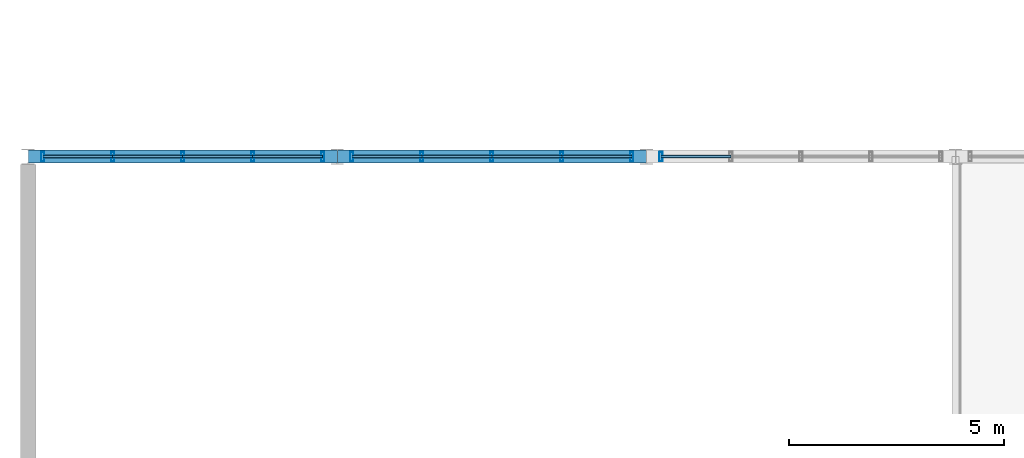
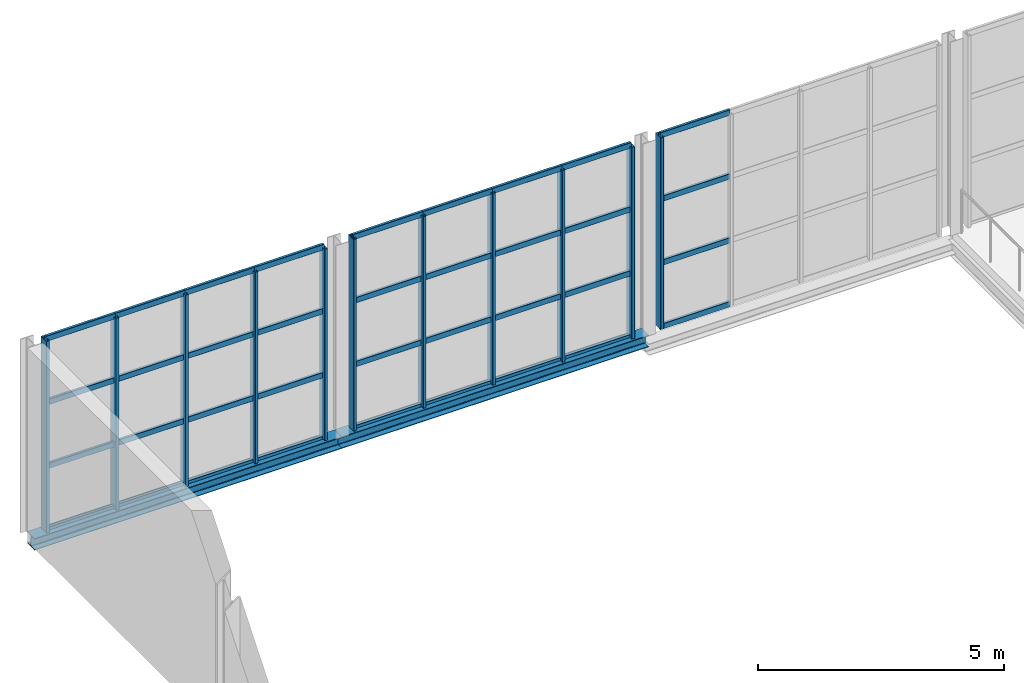
# One storey, part 64 of 143: 47 members, 2 beams, 3 elements without a shape of their own.
"""IFC4 building model written with IfcOpenShell, lengths in metres."""

from ifc_helpers import new_model, si_unit, derived_unit, direction, frame, origin, origin_2d, place, context, subcontext, project, spatial, hollow_rectangle, i_section, extrude, material, material_profile, profile_set, type_object, element, aggregate, save


model = new_model("IFC4")

# Units and contexts
model_context = context("Model", 3, precision=1e-05, world=origin(), true_north=direction((0.0, 1.0)))
body_context = subcontext(model_context, "Body", "Model", "MODEL_VIEW")
ifc_project = project(units=[si_unit("LENGTHUNIT", "METRE"), si_unit("AREAUNIT", "SQUARE_METRE"), si_unit("VOLUMEUNIT", "CUBIC_METRE"), si_unit("PLANEANGLEUNIT", "RADIAN"), si_unit("MASSUNIT", "GRAM", prefix="KILO"), derived_unit("THERMALTRANSMITTANCEUNIT", [(si_unit("POWERUNIT", "WATT"), 1), (si_unit("LENGTHUNIT", "METRE"), -2), (si_unit("THERMODYNAMICTEMPERATUREUNIT", "KELVIN"), -1)])], contexts=[model_context])

# Site, building, storey
site_placement = place(None, origin())
site = spatial("IfcSite", under=ifc_project, at=site_placement, CompositionType="ELEMENT")
building_placement = place(site_placement, origin())
building = spatial("IfcBuilding", under=site, at=building_placement, Name="Keldorne Ridge Multi-Sports Centre", CompositionType="ELEMENT")
storey_placement = place(building_placement, frame((0.0, 0.0, 4.800048828125)))
storey = spatial("IfcBuildingStorey", under=building, at=storey_placement, Name="L01", CompositionType="ELEMENT", Elevation=4.800048828125)

# Beams
ifc_material_1 = material(Name="Steel S355", Category="steel")
ifc_material_profile_1 = material_profile(ifc_material_1, i_section(OverallWidth=0.300048828125, OverallDepth=0.2900390625, WebThickness=0.008544921875, FlangeThickness=0.013916015625, FilletRadius=0.027099609375, at=origin_2d()), Name="HEA 300")
ifc_profile_set_1 = profile_set([ifc_material_profile_1], Name="Steel S355")
beam_type = type_object("IfcBeamType", Name="BM-SP-04", PredefinedType="SPANDREL", material=ifc_profile_set_1)
for number, where, z_axis, x_axis, name in (
    (1, (6.0, 114.0, -0.150146484375), (1.0, 0.0, 0.0), (0.0, 1.0, 0.0), "Climbing spandrel L01.114.1"),
    (2, (13.199951171875, 114.0, -0.150146484375), (1.0, 0.0, 0.0), (0.0, 1.0, 0.0), "Climbing spandrel L01.114.2"),
):
    element("IfcBeam", number, at=place(storey_placement, frame(where, z_axis=z_axis, x_axis=x_axis)), inside=storey, type_object=beam_type, Name=name, PredefinedType="SPANDREL", context=body_context, shape_type="SweptSolid", body=[
        extrude(i_section(OverallWidth=0.300048828125, OverallDepth=0.2900390625, WebThickness=0.008544921875, FlangeThickness=0.013916015625, FilletRadius=0.027099609375, at=origin_2d()), origin(), (0.0, 0.0, 1.0), 7.199951171875),
    ])

# Curtain wall, members
ifc_material_2 = material(Name="Anodized aluminium", Category="aluminium")
curtain_wall_type_1 = type_object("IfcCurtainWallType", Name="CW-CW-06", PredefinedType="NOTDEFINED", material=ifc_material_2)
curtain_wall_1_placement = place(storey_placement, origin())
curtain_wall_1 = element("IfcCurtainWall", 3, at=curtain_wall_1_placement, inside=storey, type_object=curtain_wall_type_1, Name="Climbing north glazing L01 038", PredefinedType="NOTDEFINED")
ifc_material_profile_2 = material_profile(ifc_material_2, hollow_rectangle(XDim=0.074951171875, YDim=0.219970703125, WallThickness=0.0048828125, InnerFilletRadius=0.0048828125, OuterFilletRadius=0.010009765625, at=origin_2d()), Name="ALU MULLION 220x75x5")
ifc_profile_set_2 = profile_set([ifc_material_profile_2], Name="Anodized aluminium")
member_type_1 = type_object("IfcMemberType", Name="MEM-ML-02", PredefinedType="MULLION", material=ifc_profile_set_2)
member_1_placement = place(storey_placement, frame((12.860107421875, 114.0, 0.0), z_axis=(0.0, 0.0, 1.0), x_axis=(1.0, 0.0, 0.0)))
member_1 = element("IfcMember", 4, at=member_1_placement, type_object=member_type_1, Name="CW-038 vertical mullion 1", PredefinedType="MULLION", context=body_context, shape_type="SweptSolid", body=[
    extrude(hollow_rectangle(XDim=0.074951171875, YDim=0.219970703125, WallThickness=0.0048828125, InnerFilletRadius=0.0048828125, OuterFilletRadius=0.010009765625, at=origin_2d()), origin(), (0.0, 0.0, 1.0), 4.75),
])
member_2_placement = place(storey_placement, frame((11.22998046875, 114.0, 0.0), z_axis=(0.0, 0.0, 1.0), x_axis=(1.0, 0.0, 0.0)))
member_2 = element("IfcMember", 5, at=member_2_placement, type_object=member_type_1, Name="CW-038 vertical mullion 2", PredefinedType="MULLION", context=body_context, shape_type="SweptSolid", body=[
    extrude(hollow_rectangle(XDim=0.074951171875, YDim=0.219970703125, WallThickness=0.0048828125, InnerFilletRadius=0.0048828125, OuterFilletRadius=0.010009765625, at=origin_2d()), origin(), (0.0, 0.0, 1.0), 4.75),
])
member_3_placement = place(storey_placement, frame((9.60009765625, 114.0, 0.0), z_axis=(0.0, 0.0, 1.0), x_axis=(1.0, 0.0, 0.0)))
member_3 = element("IfcMember", 6, at=member_3_placement, type_object=member_type_1, Name="CW-038 vertical mullion 3", PredefinedType="MULLION", context=body_context, shape_type="SweptSolid", body=[
    extrude(hollow_rectangle(XDim=0.074951171875, YDim=0.219970703125, WallThickness=0.0048828125, InnerFilletRadius=0.0048828125, OuterFilletRadius=0.010009765625, at=origin_2d()), origin(), (0.0, 0.0, 1.0), 4.75),
])
member_4_placement = place(storey_placement, frame((7.969970703125, 114.0, 0.0), z_axis=(0.0, 0.0, 1.0), x_axis=(1.0, 0.0, 0.0)))
member_4 = element("IfcMember", 7, at=member_4_placement, type_object=member_type_1, Name="CW-038 vertical mullion 4", PredefinedType="MULLION", context=body_context, shape_type="SweptSolid", body=[
    extrude(hollow_rectangle(XDim=0.074951171875, YDim=0.219970703125, WallThickness=0.0048828125, InnerFilletRadius=0.0048828125, OuterFilletRadius=0.010009765625, at=origin_2d()), origin(), (0.0, 0.0, 1.0), 4.75),
])
member_5_placement = place(storey_placement, frame((6.340087890625, 114.0, 0.0), z_axis=(0.0, 0.0, 1.0), x_axis=(1.0, 0.0, 0.0)))
member_5 = element("IfcMember", 8, at=member_5_placement, type_object=member_type_1, Name="CW-038 vertical mullion 5", PredefinedType="MULLION", context=body_context, shape_type="SweptSolid", body=[
    extrude(hollow_rectangle(XDim=0.074951171875, YDim=0.219970703125, WallThickness=0.0048828125, InnerFilletRadius=0.0048828125, OuterFilletRadius=0.010009765625, at=origin_2d()), origin(), (0.0, 0.0, 1.0), 4.75),
])

curtain_wall_type_2 = type_object("IfcCurtainWallType", Name="CW-CW-02", PredefinedType="NOTDEFINED", material=ifc_material_2)
curtain_wall_2_placement = place(storey_placement, origin())
curtain_wall_2 = element("IfcCurtainWall", 9, at=curtain_wall_2_placement, inside=storey, type_object=curtain_wall_type_2, Name="Climbing north glazing L01 042", PredefinedType="NOTDEFINED")
member_6_placement = place(storey_placement, frame((20.06005859375, 114.0, 0.0), z_axis=(0.0, 0.0, 1.0), x_axis=(1.0, 0.0, 0.0)))
member_6 = element("IfcMember", 10, at=member_6_placement, type_object=member_type_1, Name="CW-042 vertical mullion 1", PredefinedType="MULLION", context=body_context, shape_type="SweptSolid", body=[
    extrude(hollow_rectangle(XDim=0.074951171875, YDim=0.219970703125, WallThickness=0.0048828125, InnerFilletRadius=0.0048828125, OuterFilletRadius=0.010009765625, at=origin_2d()), origin(), (0.0, 0.0, 1.0), 4.75),
])
member_7_placement = place(storey_placement, frame((18.429931640625, 114.0, 0.0), z_axis=(0.0, 0.0, 1.0), x_axis=(1.0, 0.0, 0.0)))
member_7 = element("IfcMember", 11, at=member_7_placement, type_object=member_type_1, Name="CW-042 vertical mullion 2", PredefinedType="MULLION", context=body_context, shape_type="SweptSolid", body=[
    extrude(hollow_rectangle(XDim=0.074951171875, YDim=0.219970703125, WallThickness=0.0048828125, InnerFilletRadius=0.0048828125, OuterFilletRadius=0.010009765625, at=origin_2d()), origin(), (0.0, 0.0, 1.0), 4.75),
])
member_8_placement = place(storey_placement, frame((16.800048828125, 114.0, 0.0), z_axis=(0.0, 0.0, 1.0), x_axis=(1.0, 0.0, 0.0)))
member_8 = element("IfcMember", 12, at=member_8_placement, type_object=member_type_1, Name="CW-042 vertical mullion 3", PredefinedType="MULLION", context=body_context, shape_type="SweptSolid", body=[
    extrude(hollow_rectangle(XDim=0.074951171875, YDim=0.219970703125, WallThickness=0.0048828125, InnerFilletRadius=0.0048828125, OuterFilletRadius=0.010009765625, at=origin_2d()), origin(), (0.0, 0.0, 1.0), 4.75),
])
member_9_placement = place(storey_placement, frame((15.169921875, 114.0, 0.0), z_axis=(0.0, 0.0, 1.0), x_axis=(1.0, 0.0, 0.0)))
member_9 = element("IfcMember", 13, at=member_9_placement, type_object=member_type_1, Name="CW-042 vertical mullion 4", PredefinedType="MULLION", context=body_context, shape_type="SweptSolid", body=[
    extrude(hollow_rectangle(XDim=0.074951171875, YDim=0.219970703125, WallThickness=0.0048828125, InnerFilletRadius=0.0048828125, OuterFilletRadius=0.010009765625, at=origin_2d()), origin(), (0.0, 0.0, 1.0), 4.75),
])
member_10_placement = place(storey_placement, frame((13.5400390625, 114.0, 0.0), z_axis=(0.0, 0.0, 1.0), x_axis=(1.0, 0.0, 0.0)))
member_10 = element("IfcMember", 14, at=member_10_placement, type_object=member_type_1, Name="CW-042 vertical mullion 5", PredefinedType="MULLION", context=body_context, shape_type="SweptSolid", body=[
    extrude(hollow_rectangle(XDim=0.074951171875, YDim=0.219970703125, WallThickness=0.0048828125, InnerFilletRadius=0.0048828125, OuterFilletRadius=0.010009765625, at=origin_2d()), origin(), (0.0, 0.0, 1.0), 4.75),
])

# Curtain wall, member
curtain_wall_3_placement = place(storey_placement, origin())
curtain_wall_3 = element("IfcCurtainWall", 15, at=curtain_wall_3_placement, inside=storey, type_object=curtain_wall_type_1, Name="Climbing north glazing L01 046", PredefinedType="NOTDEFINED")
member_11_placement = place(storey_placement, frame((20.739990234375, 114.0, 0.0), z_axis=(0.0, 0.0, 1.0), x_axis=(1.0, 0.0, 0.0)))
member_11 = element("IfcMember", 16, at=member_11_placement, type_object=member_type_1, Name="CW-046 vertical mullion 5", PredefinedType="MULLION", context=body_context, shape_type="SweptSolid", body=[
    extrude(hollow_rectangle(XDim=0.074951171875, YDim=0.219970703125, WallThickness=0.0048828125, InnerFilletRadius=0.0048828125, OuterFilletRadius=0.010009765625, at=origin_2d()), origin(), (0.0, 0.0, 1.0), 4.75),
])

# Member
ifc_material_profile_3 = material_profile(ifc_material_2, hollow_rectangle(XDim=0.06494140625, YDim=0.139892578125, WallThickness=0.00439453125, InnerFilletRadius=0.00439453125, OuterFilletRadius=0.009033203125, at=origin_2d()), Name="ALU TRANSOM 140x65x4.5")
ifc_profile_set_3 = profile_set([ifc_material_profile_3], Name="Anodized aluminium")
member_type_2 = type_object("IfcMemberType", Name="MEM-TR-01", PredefinedType="USERDEFINED", material=ifc_profile_set_3)
member_12_placement = place(storey_placement, frame((12.860107421875, 114.0, 0.0), z_axis=(-1.0, 0.0, 0.0), x_axis=(0.0, -1.0, 0.0)))
member_12 = element("IfcMember", 17, at=member_12_placement, type_object=member_type_2, Name="CW-038 transom 1.1", ObjectType="TRANSOM", PredefinedType="USERDEFINED", context=body_context, shape_type="SweptSolid", body=[
    extrude(hollow_rectangle(XDim=0.06494140625, YDim=0.139892578125, WallThickness=0.00439453125, InnerFilletRadius=0.00439453125, OuterFilletRadius=0.009033203125, at=origin_2d()), origin(), (0.0, 0.0, 1.0), 1.630126953125),
])

member_13_placement = place(storey_placement, frame((12.860107421875, 114.0, 1.583251953125), z_axis=(-1.0, 0.0, 0.0), x_axis=(0.0, -1.0, 0.0)))
member_13 = element("IfcMember", 18, at=member_13_placement, type_object=member_type_2, Name="CW-038 transom 1.2", ObjectType="TRANSOM", PredefinedType="USERDEFINED", context=body_context, shape_type="SweptSolid", body=[
    extrude(hollow_rectangle(XDim=0.06494140625, YDim=0.139892578125, WallThickness=0.00439453125, InnerFilletRadius=0.00439453125, OuterFilletRadius=0.009033203125, at=origin_2d()), origin(), (0.0, 0.0, 1.0), 1.630126953125),
])

member_14_placement = place(storey_placement, frame((12.860107421875, 114.0, 3.166748046875), z_axis=(-1.0, 0.0, 0.0), x_axis=(0.0, -1.0, 0.0)))
member_14 = element("IfcMember", 19, at=member_14_placement, type_object=member_type_2, Name="CW-038 transom 1.3", ObjectType="TRANSOM", PredefinedType="USERDEFINED", context=body_context, shape_type="SweptSolid", body=[
    extrude(hollow_rectangle(XDim=0.06494140625, YDim=0.139892578125, WallThickness=0.00439453125, InnerFilletRadius=0.00439453125, OuterFilletRadius=0.009033203125, at=origin_2d()), origin(), (0.0, 0.0, 1.0), 1.630126953125),
])

member_15_placement = place(storey_placement, frame((12.860107421875, 114.0, 4.75), z_axis=(-1.0, 0.0, 0.0), x_axis=(0.0, -1.0, 0.0)))
member_15 = element("IfcMember", 20, at=member_15_placement, type_object=member_type_2, Name="CW-038 transom 1.4", ObjectType="TRANSOM", PredefinedType="USERDEFINED", context=body_context, shape_type="SweptSolid", body=[
    extrude(hollow_rectangle(XDim=0.06494140625, YDim=0.139892578125, WallThickness=0.00439453125, InnerFilletRadius=0.00439453125, OuterFilletRadius=0.009033203125, at=origin_2d()), origin(), (0.0, 0.0, 1.0), 1.630126953125),
])

member_16_placement = place(storey_placement, frame((11.22998046875, 114.0, 0.0), z_axis=(-1.0, 0.0, 0.0), x_axis=(0.0, -1.0, 0.0)))
member_16 = element("IfcMember", 21, at=member_16_placement, type_object=member_type_2, Name="CW-038 transom 2.1", ObjectType="TRANSOM", PredefinedType="USERDEFINED", context=body_context, shape_type="SweptSolid", body=[
    extrude(hollow_rectangle(XDim=0.06494140625, YDim=0.139892578125, WallThickness=0.00439453125, InnerFilletRadius=0.00439453125, OuterFilletRadius=0.009033203125, at=origin_2d()), origin(), (0.0, 0.0, 1.0), 1.6298828125),
])

member_17_placement = place(storey_placement, frame((11.22998046875, 114.0, 1.583251953125), z_axis=(-1.0, 0.0, 0.0), x_axis=(0.0, -1.0, 0.0)))
member_17 = element("IfcMember", 22, at=member_17_placement, type_object=member_type_2, Name="CW-038 transom 2.2", ObjectType="TRANSOM", PredefinedType="USERDEFINED", context=body_context, shape_type="SweptSolid", body=[
    extrude(hollow_rectangle(XDim=0.06494140625, YDim=0.139892578125, WallThickness=0.00439453125, InnerFilletRadius=0.00439453125, OuterFilletRadius=0.009033203125, at=origin_2d()), origin(), (0.0, 0.0, 1.0), 1.6298828125),
])

member_18_placement = place(storey_placement, frame((11.22998046875, 114.0, 3.166748046875), z_axis=(-1.0, 0.0, 0.0), x_axis=(0.0, -1.0, 0.0)))
member_18 = element("IfcMember", 23, at=member_18_placement, type_object=member_type_2, Name="CW-038 transom 2.3", ObjectType="TRANSOM", PredefinedType="USERDEFINED", context=body_context, shape_type="SweptSolid", body=[
    extrude(hollow_rectangle(XDim=0.06494140625, YDim=0.139892578125, WallThickness=0.00439453125, InnerFilletRadius=0.00439453125, OuterFilletRadius=0.009033203125, at=origin_2d()), origin(), (0.0, 0.0, 1.0), 1.6298828125),
])

member_19_placement = place(storey_placement, frame((11.22998046875, 114.0, 4.75), z_axis=(-1.0, 0.0, 0.0), x_axis=(0.0, -1.0, 0.0)))
member_19 = element("IfcMember", 24, at=member_19_placement, type_object=member_type_2, Name="CW-038 transom 2.4", ObjectType="TRANSOM", PredefinedType="USERDEFINED", context=body_context, shape_type="SweptSolid", body=[
    extrude(hollow_rectangle(XDim=0.06494140625, YDim=0.139892578125, WallThickness=0.00439453125, InnerFilletRadius=0.00439453125, OuterFilletRadius=0.009033203125, at=origin_2d()), origin(), (0.0, 0.0, 1.0), 1.6298828125),
])

member_20_placement = place(storey_placement, frame((9.60009765625, 114.0, 0.0), z_axis=(-1.0, 0.0, 0.0), x_axis=(0.0, -1.0, 0.0)))
member_20 = element("IfcMember", 25, at=member_20_placement, type_object=member_type_2, Name="CW-038 transom 3.1", ObjectType="TRANSOM", PredefinedType="USERDEFINED", context=body_context, shape_type="SweptSolid", body=[
    extrude(hollow_rectangle(XDim=0.06494140625, YDim=0.139892578125, WallThickness=0.00439453125, InnerFilletRadius=0.00439453125, OuterFilletRadius=0.009033203125, at=origin_2d()), origin(), (0.0, 0.0, 1.0), 1.630126953125),
])

member_21_placement = place(storey_placement, frame((9.60009765625, 114.0, 1.583251953125), z_axis=(-1.0, 0.0, 0.0), x_axis=(0.0, -1.0, 0.0)))
member_21 = element("IfcMember", 26, at=member_21_placement, type_object=member_type_2, Name="CW-038 transom 3.2", ObjectType="TRANSOM", PredefinedType="USERDEFINED", context=body_context, shape_type="SweptSolid", body=[
    extrude(hollow_rectangle(XDim=0.06494140625, YDim=0.139892578125, WallThickness=0.00439453125, InnerFilletRadius=0.00439453125, OuterFilletRadius=0.009033203125, at=origin_2d()), origin(), (0.0, 0.0, 1.0), 1.630126953125),
])

member_22_placement = place(storey_placement, frame((9.60009765625, 114.0, 3.166748046875), z_axis=(-1.0, 0.0, 0.0), x_axis=(0.0, -1.0, 0.0)))
member_22 = element("IfcMember", 27, at=member_22_placement, type_object=member_type_2, Name="CW-038 transom 3.3", ObjectType="TRANSOM", PredefinedType="USERDEFINED", context=body_context, shape_type="SweptSolid", body=[
    extrude(hollow_rectangle(XDim=0.06494140625, YDim=0.139892578125, WallThickness=0.00439453125, InnerFilletRadius=0.00439453125, OuterFilletRadius=0.009033203125, at=origin_2d()), origin(), (0.0, 0.0, 1.0), 1.630126953125),
])

member_23_placement = place(storey_placement, frame((9.60009765625, 114.0, 4.75), z_axis=(-1.0, 0.0, 0.0), x_axis=(0.0, -1.0, 0.0)))
member_23 = element("IfcMember", 28, at=member_23_placement, type_object=member_type_2, Name="CW-038 transom 3.4", ObjectType="TRANSOM", PredefinedType="USERDEFINED", context=body_context, shape_type="SweptSolid", body=[
    extrude(hollow_rectangle(XDim=0.06494140625, YDim=0.139892578125, WallThickness=0.00439453125, InnerFilletRadius=0.00439453125, OuterFilletRadius=0.009033203125, at=origin_2d()), origin(), (0.0, 0.0, 1.0), 1.630126953125),
])

member_24_placement = place(storey_placement, frame((7.969970703125, 114.0, 0.0), z_axis=(-1.0, 0.0, 0.0), x_axis=(0.0, -1.0, 0.0)))
member_24 = element("IfcMember", 29, at=member_24_placement, type_object=member_type_2, Name="CW-038 transom 4.1", ObjectType="TRANSOM", PredefinedType="USERDEFINED", context=body_context, shape_type="SweptSolid", body=[
    extrude(hollow_rectangle(XDim=0.06494140625, YDim=0.139892578125, WallThickness=0.00439453125, InnerFilletRadius=0.00439453125, OuterFilletRadius=0.009033203125, at=origin_2d()), origin(), (0.0, 0.0, 1.0), 1.6298828125),
])

member_25_placement = place(storey_placement, frame((7.969970703125, 114.0, 1.583251953125), z_axis=(-1.0, 0.0, 0.0), x_axis=(0.0, -1.0, 0.0)))
member_25 = element("IfcMember", 30, at=member_25_placement, type_object=member_type_2, Name="CW-038 transom 4.2", ObjectType="TRANSOM", PredefinedType="USERDEFINED", context=body_context, shape_type="SweptSolid", body=[
    extrude(hollow_rectangle(XDim=0.06494140625, YDim=0.139892578125, WallThickness=0.00439453125, InnerFilletRadius=0.00439453125, OuterFilletRadius=0.009033203125, at=origin_2d()), origin(), (0.0, 0.0, 1.0), 1.6298828125),
])

member_26_placement = place(storey_placement, frame((7.969970703125, 114.0, 3.166748046875), z_axis=(-1.0, 0.0, 0.0), x_axis=(0.0, -1.0, 0.0)))
member_26 = element("IfcMember", 31, at=member_26_placement, type_object=member_type_2, Name="CW-038 transom 4.3", ObjectType="TRANSOM", PredefinedType="USERDEFINED", context=body_context, shape_type="SweptSolid", body=[
    extrude(hollow_rectangle(XDim=0.06494140625, YDim=0.139892578125, WallThickness=0.00439453125, InnerFilletRadius=0.00439453125, OuterFilletRadius=0.009033203125, at=origin_2d()), origin(), (0.0, 0.0, 1.0), 1.6298828125),
])

member_27_placement = place(storey_placement, frame((7.969970703125, 114.0, 4.75), z_axis=(-1.0, 0.0, 0.0), x_axis=(0.0, -1.0, 0.0)))
member_27 = element("IfcMember", 32, at=member_27_placement, type_object=member_type_2, Name="CW-038 transom 4.4", ObjectType="TRANSOM", PredefinedType="USERDEFINED", context=body_context, shape_type="SweptSolid", body=[
    extrude(hollow_rectangle(XDim=0.06494140625, YDim=0.139892578125, WallThickness=0.00439453125, InnerFilletRadius=0.00439453125, OuterFilletRadius=0.009033203125, at=origin_2d()), origin(), (0.0, 0.0, 1.0), 1.6298828125),
])

aggregate(curtain_wall_1, [member_1, member_2, member_3, member_4, member_5, member_12, member_13, member_14, member_15, member_16, member_17, member_18, member_19, member_20, member_21, member_22, member_23, member_24, member_25, member_26, member_27])

member_28_placement = place(storey_placement, frame((20.06005859375, 114.0, 0.0), z_axis=(-1.0, 0.0, 0.0), x_axis=(0.0, -1.0, 0.0)))
member_28 = element("IfcMember", 33, at=member_28_placement, type_object=member_type_2, Name="CW-042 transom 1.1", ObjectType="TRANSOM", PredefinedType="USERDEFINED", context=body_context, shape_type="SweptSolid", body=[
    extrude(hollow_rectangle(XDim=0.06494140625, YDim=0.139892578125, WallThickness=0.00439453125, InnerFilletRadius=0.00439453125, OuterFilletRadius=0.009033203125, at=origin_2d()), origin(), (0.0, 0.0, 1.0), 1.630126953125),
])

member_29_placement = place(storey_placement, frame((20.06005859375, 114.0, 1.583251953125), z_axis=(-1.0, 0.0, 0.0), x_axis=(0.0, -1.0, 0.0)))
member_29 = element("IfcMember", 34, at=member_29_placement, type_object=member_type_2, Name="CW-042 transom 1.2", ObjectType="TRANSOM", PredefinedType="USERDEFINED", context=body_context, shape_type="SweptSolid", body=[
    extrude(hollow_rectangle(XDim=0.06494140625, YDim=0.139892578125, WallThickness=0.00439453125, InnerFilletRadius=0.00439453125, OuterFilletRadius=0.009033203125, at=origin_2d()), origin(), (0.0, 0.0, 1.0), 1.630126953125),
])

member_30_placement = place(storey_placement, frame((20.06005859375, 114.0, 3.166748046875), z_axis=(-1.0, 0.0, 0.0), x_axis=(0.0, -1.0, 0.0)))
member_30 = element("IfcMember", 35, at=member_30_placement, type_object=member_type_2, Name="CW-042 transom 1.3", ObjectType="TRANSOM", PredefinedType="USERDEFINED", context=body_context, shape_type="SweptSolid", body=[
    extrude(hollow_rectangle(XDim=0.06494140625, YDim=0.139892578125, WallThickness=0.00439453125, InnerFilletRadius=0.00439453125, OuterFilletRadius=0.009033203125, at=origin_2d()), origin(), (0.0, 0.0, 1.0), 1.630126953125),
])

member_31_placement = place(storey_placement, frame((20.06005859375, 114.0, 4.75), z_axis=(-1.0, 0.0, 0.0), x_axis=(0.0, -1.0, 0.0)))
member_31 = element("IfcMember", 36, at=member_31_placement, type_object=member_type_2, Name="CW-042 transom 1.4", ObjectType="TRANSOM", PredefinedType="USERDEFINED", context=body_context, shape_type="SweptSolid", body=[
    extrude(hollow_rectangle(XDim=0.06494140625, YDim=0.139892578125, WallThickness=0.00439453125, InnerFilletRadius=0.00439453125, OuterFilletRadius=0.009033203125, at=origin_2d()), origin(), (0.0, 0.0, 1.0), 1.630126953125),
])

member_32_placement = place(storey_placement, frame((18.429931640625, 114.0, 0.0), z_axis=(-1.0, 0.0, 0.0), x_axis=(0.0, -1.0, 0.0)))
member_32 = element("IfcMember", 37, at=member_32_placement, type_object=member_type_2, Name="CW-042 transom 2.1", ObjectType="TRANSOM", PredefinedType="USERDEFINED", context=body_context, shape_type="SweptSolid", body=[
    extrude(hollow_rectangle(XDim=0.06494140625, YDim=0.139892578125, WallThickness=0.00439453125, InnerFilletRadius=0.00439453125, OuterFilletRadius=0.009033203125, at=origin_2d()), origin(), (0.0, 0.0, 1.0), 1.6298828125),
])

member_33_placement = place(storey_placement, frame((18.429931640625, 114.0, 1.583251953125), z_axis=(-1.0, 0.0, 0.0), x_axis=(0.0, -1.0, 0.0)))
member_33 = element("IfcMember", 38, at=member_33_placement, type_object=member_type_2, Name="CW-042 transom 2.2", ObjectType="TRANSOM", PredefinedType="USERDEFINED", context=body_context, shape_type="SweptSolid", body=[
    extrude(hollow_rectangle(XDim=0.06494140625, YDim=0.139892578125, WallThickness=0.00439453125, InnerFilletRadius=0.00439453125, OuterFilletRadius=0.009033203125, at=origin_2d()), origin(), (0.0, 0.0, 1.0), 1.6298828125),
])

member_34_placement = place(storey_placement, frame((18.429931640625, 114.0, 3.166748046875), z_axis=(-1.0, 0.0, 0.0), x_axis=(0.0, -1.0, 0.0)))
member_34 = element("IfcMember", 39, at=member_34_placement, type_object=member_type_2, Name="CW-042 transom 2.3", ObjectType="TRANSOM", PredefinedType="USERDEFINED", context=body_context, shape_type="SweptSolid", body=[
    extrude(hollow_rectangle(XDim=0.06494140625, YDim=0.139892578125, WallThickness=0.00439453125, InnerFilletRadius=0.00439453125, OuterFilletRadius=0.009033203125, at=origin_2d()), origin(), (0.0, 0.0, 1.0), 1.6298828125),
])

member_35_placement = place(storey_placement, frame((18.429931640625, 114.0, 4.75), z_axis=(-1.0, 0.0, 0.0), x_axis=(0.0, -1.0, 0.0)))
member_35 = element("IfcMember", 40, at=member_35_placement, type_object=member_type_2, Name="CW-042 transom 2.4", ObjectType="TRANSOM", PredefinedType="USERDEFINED", context=body_context, shape_type="SweptSolid", body=[
    extrude(hollow_rectangle(XDim=0.06494140625, YDim=0.139892578125, WallThickness=0.00439453125, InnerFilletRadius=0.00439453125, OuterFilletRadius=0.009033203125, at=origin_2d()), origin(), (0.0, 0.0, 1.0), 1.6298828125),
])

member_36_placement = place(storey_placement, frame((16.800048828125, 114.0, 0.0), z_axis=(-1.0, 0.0, 0.0), x_axis=(0.0, -1.0, 0.0)))
member_36 = element("IfcMember", 41, at=member_36_placement, type_object=member_type_2, Name="CW-042 transom 3.1", ObjectType="TRANSOM", PredefinedType="USERDEFINED", context=body_context, shape_type="SweptSolid", body=[
    extrude(hollow_rectangle(XDim=0.06494140625, YDim=0.139892578125, WallThickness=0.00439453125, InnerFilletRadius=0.00439453125, OuterFilletRadius=0.009033203125, at=origin_2d()), origin(), (0.0, 0.0, 1.0), 1.630126953125),
])

member_37_placement = place(storey_placement, frame((16.800048828125, 114.0, 1.583251953125), z_axis=(-1.0, 0.0, 0.0), x_axis=(0.0, -1.0, 0.0)))
member_37 = element("IfcMember", 42, at=member_37_placement, type_object=member_type_2, Name="CW-042 transom 3.2", ObjectType="TRANSOM", PredefinedType="USERDEFINED", context=body_context, shape_type="SweptSolid", body=[
    extrude(hollow_rectangle(XDim=0.06494140625, YDim=0.139892578125, WallThickness=0.00439453125, InnerFilletRadius=0.00439453125, OuterFilletRadius=0.009033203125, at=origin_2d()), origin(), (0.0, 0.0, 1.0), 1.630126953125),
])

member_38_placement = place(storey_placement, frame((16.800048828125, 114.0, 3.166748046875), z_axis=(-1.0, 0.0, 0.0), x_axis=(0.0, -1.0, 0.0)))
member_38 = element("IfcMember", 43, at=member_38_placement, type_object=member_type_2, Name="CW-042 transom 3.3", ObjectType="TRANSOM", PredefinedType="USERDEFINED", context=body_context, shape_type="SweptSolid", body=[
    extrude(hollow_rectangle(XDim=0.06494140625, YDim=0.139892578125, WallThickness=0.00439453125, InnerFilletRadius=0.00439453125, OuterFilletRadius=0.009033203125, at=origin_2d()), origin(), (0.0, 0.0, 1.0), 1.630126953125),
])

member_39_placement = place(storey_placement, frame((16.800048828125, 114.0, 4.75), z_axis=(-1.0, 0.0, 0.0), x_axis=(0.0, -1.0, 0.0)))
member_39 = element("IfcMember", 44, at=member_39_placement, type_object=member_type_2, Name="CW-042 transom 3.4", ObjectType="TRANSOM", PredefinedType="USERDEFINED", context=body_context, shape_type="SweptSolid", body=[
    extrude(hollow_rectangle(XDim=0.06494140625, YDim=0.139892578125, WallThickness=0.00439453125, InnerFilletRadius=0.00439453125, OuterFilletRadius=0.009033203125, at=origin_2d()), origin(), (0.0, 0.0, 1.0), 1.630126953125),
])

member_40_placement = place(storey_placement, frame((15.169921875, 114.0, 0.0), z_axis=(-1.0, 0.0, 0.0), x_axis=(0.0, -1.0, 0.0)))
member_40 = element("IfcMember", 45, at=member_40_placement, type_object=member_type_2, Name="CW-042 transom 4.1", ObjectType="TRANSOM", PredefinedType="USERDEFINED", context=body_context, shape_type="SweptSolid", body=[
    extrude(hollow_rectangle(XDim=0.06494140625, YDim=0.139892578125, WallThickness=0.00439453125, InnerFilletRadius=0.00439453125, OuterFilletRadius=0.009033203125, at=origin_2d()), origin(), (0.0, 0.0, 1.0), 1.6298828125),
])

member_41_placement = place(storey_placement, frame((15.169921875, 114.0, 1.583251953125), z_axis=(-1.0, 0.0, 0.0), x_axis=(0.0, -1.0, 0.0)))
member_41 = element("IfcMember", 46, at=member_41_placement, type_object=member_type_2, Name="CW-042 transom 4.2", ObjectType="TRANSOM", PredefinedType="USERDEFINED", context=body_context, shape_type="SweptSolid", body=[
    extrude(hollow_rectangle(XDim=0.06494140625, YDim=0.139892578125, WallThickness=0.00439453125, InnerFilletRadius=0.00439453125, OuterFilletRadius=0.009033203125, at=origin_2d()), origin(), (0.0, 0.0, 1.0), 1.6298828125),
])

member_42_placement = place(storey_placement, frame((15.169921875, 114.0, 3.166748046875), z_axis=(-1.0, 0.0, 0.0), x_axis=(0.0, -1.0, 0.0)))
member_42 = element("IfcMember", 47, at=member_42_placement, type_object=member_type_2, Name="CW-042 transom 4.3", ObjectType="TRANSOM", PredefinedType="USERDEFINED", context=body_context, shape_type="SweptSolid", body=[
    extrude(hollow_rectangle(XDim=0.06494140625, YDim=0.139892578125, WallThickness=0.00439453125, InnerFilletRadius=0.00439453125, OuterFilletRadius=0.009033203125, at=origin_2d()), origin(), (0.0, 0.0, 1.0), 1.6298828125),
])

member_43_placement = place(storey_placement, frame((15.169921875, 114.0, 4.75), z_axis=(-1.0, 0.0, 0.0), x_axis=(0.0, -1.0, 0.0)))
member_43 = element("IfcMember", 48, at=member_43_placement, type_object=member_type_2, Name="CW-042 transom 4.4", ObjectType="TRANSOM", PredefinedType="USERDEFINED", context=body_context, shape_type="SweptSolid", body=[
    extrude(hollow_rectangle(XDim=0.06494140625, YDim=0.139892578125, WallThickness=0.00439453125, InnerFilletRadius=0.00439453125, OuterFilletRadius=0.009033203125, at=origin_2d()), origin(), (0.0, 0.0, 1.0), 1.6298828125),
])

aggregate(curtain_wall_2, [member_6, member_7, member_8, member_9, member_10, member_28, member_29, member_30, member_31, member_32, member_33, member_34, member_35, member_36, member_37, member_38, member_39, member_40, member_41, member_42, member_43])

member_44_placement = place(storey_placement, frame((22.3701171875, 114.0, 0.0), z_axis=(-1.0, 0.0, 0.0), x_axis=(0.0, -1.0, 0.0)))
member_44 = element("IfcMember", 49, at=member_44_placement, type_object=member_type_2, Name="CW-046 transom 4.1", ObjectType="TRANSOM", PredefinedType="USERDEFINED", context=body_context, shape_type="SweptSolid", body=[
    extrude(hollow_rectangle(XDim=0.06494140625, YDim=0.139892578125, WallThickness=0.00439453125, InnerFilletRadius=0.00439453125, OuterFilletRadius=0.009033203125, at=origin_2d()), origin(), (0.0, 0.0, 1.0), 1.630126953125),
])

member_45_placement = place(storey_placement, frame((22.3701171875, 114.0, 1.583251953125), z_axis=(-1.0, 0.0, 0.0), x_axis=(0.0, -1.0, 0.0)))
member_45 = element("IfcMember", 50, at=member_45_placement, type_object=member_type_2, Name="CW-046 transom 4.2", ObjectType="TRANSOM", PredefinedType="USERDEFINED", context=body_context, shape_type="SweptSolid", body=[
    extrude(hollow_rectangle(XDim=0.06494140625, YDim=0.139892578125, WallThickness=0.00439453125, InnerFilletRadius=0.00439453125, OuterFilletRadius=0.009033203125, at=origin_2d()), origin(), (0.0, 0.0, 1.0), 1.630126953125),
])

member_46_placement = place(storey_placement, frame((22.3701171875, 114.0, 3.166748046875), z_axis=(-1.0, 0.0, 0.0), x_axis=(0.0, -1.0, 0.0)))
member_46 = element("IfcMember", 51, at=member_46_placement, type_object=member_type_2, Name="CW-046 transom 4.3", ObjectType="TRANSOM", PredefinedType="USERDEFINED", context=body_context, shape_type="SweptSolid", body=[
    extrude(hollow_rectangle(XDim=0.06494140625, YDim=0.139892578125, WallThickness=0.00439453125, InnerFilletRadius=0.00439453125, OuterFilletRadius=0.009033203125, at=origin_2d()), origin(), (0.0, 0.0, 1.0), 1.630126953125),
])

member_47_placement = place(storey_placement, frame((22.3701171875, 114.0, 4.75), z_axis=(-1.0, 0.0, 0.0), x_axis=(0.0, -1.0, 0.0)))
member_47 = element("IfcMember", 52, at=member_47_placement, type_object=member_type_2, Name="CW-046 transom 4.4", ObjectType="TRANSOM", PredefinedType="USERDEFINED", context=body_context, shape_type="SweptSolid", body=[
    extrude(hollow_rectangle(XDim=0.06494140625, YDim=0.139892578125, WallThickness=0.00439453125, InnerFilletRadius=0.00439453125, OuterFilletRadius=0.009033203125, at=origin_2d()), origin(), (0.0, 0.0, 1.0), 1.630126953125),
])

aggregate(curtain_wall_3, [member_11, member_44, member_45, member_46, member_47])

save(model, "model.ifc")
